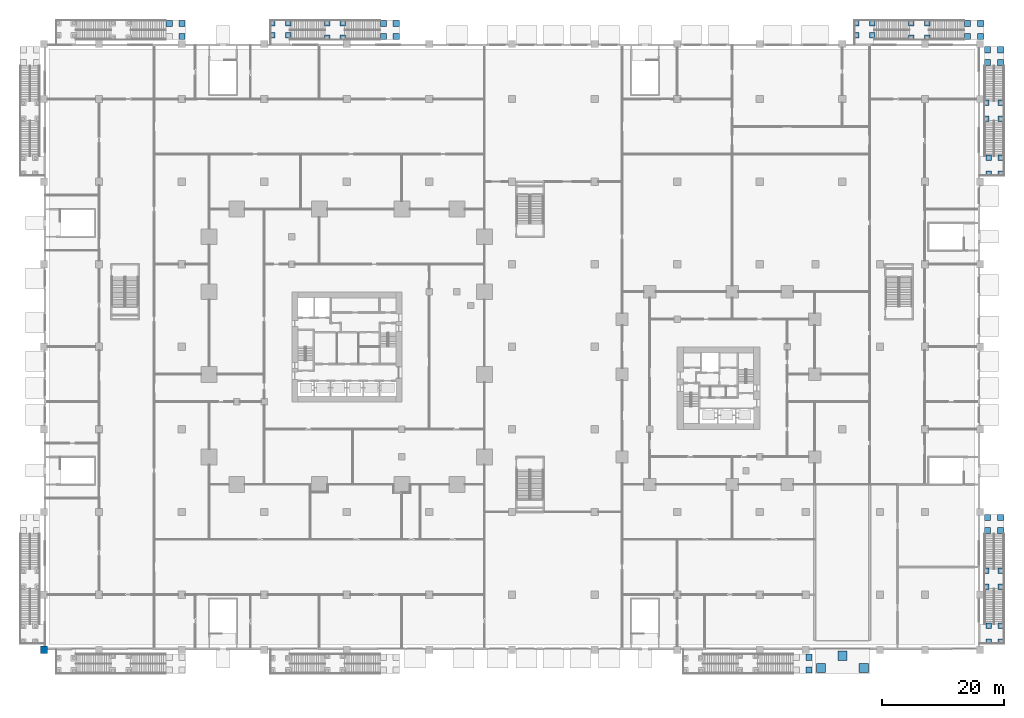
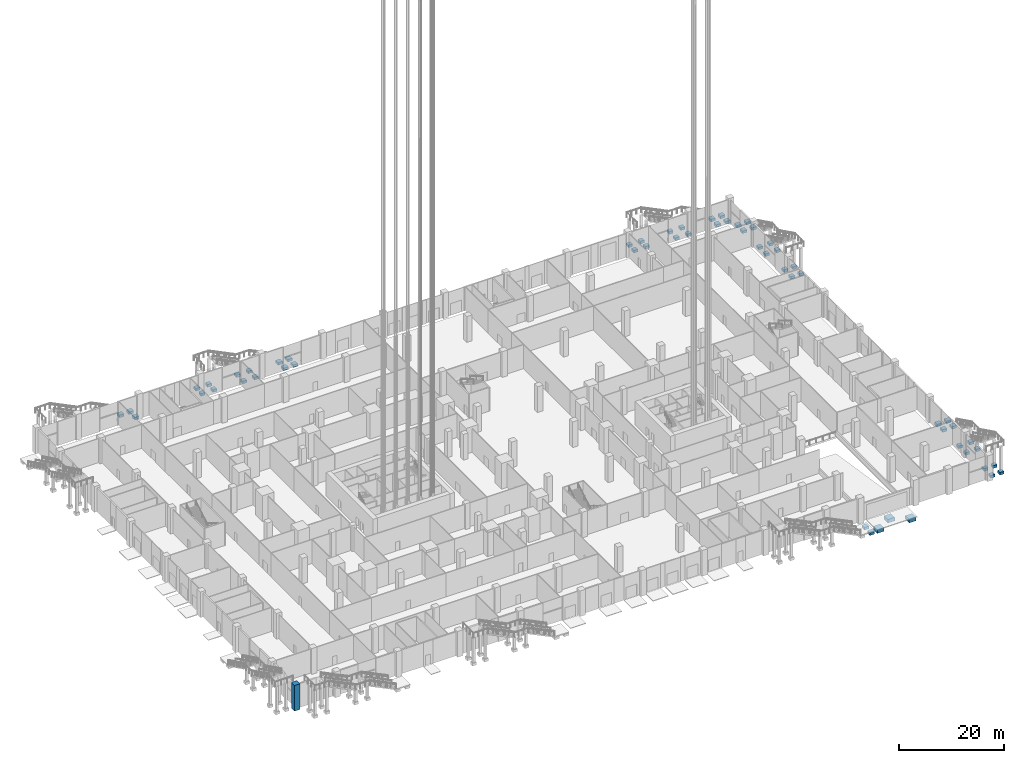
# One storey, part 2 of 68: 56 footings, 1 column.
"""IFC4 building model written with IfcOpenShell, lengths in metres."""

from ifc_helpers import new_model, si_unit, direction, frame, origin, origin_2d, place, context, subcontext, project, spatial, polyline, rectangle, outline, extrude, material, layer, layer_set, material_profile, profile_set, type_object, element, save


model = new_model("IFC4")

# Units and contexts
model_context = context("Model", 3, precision=1e-05, world=origin(), true_north=direction((0.0, 1.0)))
body_context = subcontext(model_context, "Body", "Model", "MODEL_VIEW")
ifc_project = project(units=[si_unit("LENGTHUNIT", "METRE"), si_unit("AREAUNIT", "SQUARE_METRE"), si_unit("VOLUMEUNIT", "CUBIC_METRE"), si_unit("PLANEANGLEUNIT", "RADIAN"), si_unit("MASSUNIT", "GRAM", prefix="KILO")], contexts=[model_context])

# Site, building, storey
site_placement = place(None, origin())
site = spatial("IfcSite", under=ifc_project, at=site_placement, CompositionType="ELEMENT")
building_placement = place(site_placement, origin())
building = spatial("IfcBuilding", under=site, at=building_placement, Name="Altepetl Exchange Towers", CompositionType="ELEMENT")
storey_placement = place(building_placement, origin())
storey = spatial("IfcBuildingStorey", under=building, at=storey_placement, Name="L00 Ground concourse", CompositionType="ELEMENT", Elevation=0.0)

# Footings
ifc_material_1 = material(Name="Concrete C25/30", Category="concrete")
ifc_layer_1 = layer(ifc_material_1, 0.800048828125)
ifc_layer_set_1 = layer_set([ifc_layer_1], Name="Concrete C25/30")
footing_type_1 = type_object("IfcFootingType", Name="Apron pad footing 1500x800", PredefinedType="PAD_FOOTING", material=ifc_layer_set_1)
footing_1_placement = place(storey_placement, frame((0.0, 0.0, -1.0)))
element("IfcFooting", 1, at=footing_1_placement, inside=storey, type_object=footing_type_1, Name="Apron pad footing", PredefinedType="PAD_FOOTING", context=body_context, shape_type="SweptSolid", body=[
    extrude(outline(polyline([(126.25, -3.75), (127.75, -3.75), (127.75, -2.25), (126.25, -2.25), (126.25, -3.75)])), origin(), (0.0, 0.0, 1.0), 0.800048828125),
])
footing_2_placement = place(storey_placement, frame((0.0, 0.0, -1.0)))
element("IfcFooting", 2, at=footing_2_placement, inside=storey, type_object=footing_type_1, Name="Apron pad footing", PredefinedType="PAD_FOOTING", context=body_context, shape_type="SweptSolid", body=[
    extrude(outline(polyline([(133.25, -3.75), (134.75, -3.75), (134.75, -2.25), (133.25, -2.25), (133.25, -3.75)])), origin(), (0.0, 0.0, 1.0), 0.800048828125),
])
footing_3_placement = place(storey_placement, frame((0.0, 0.0, -1.0)))
element("IfcFooting", 3, at=footing_3_placement, inside=storey, type_object=footing_type_1, Name="Apron pad footing", PredefinedType="PAD_FOOTING", context=body_context, shape_type="SweptSolid", body=[
    extrude(outline(polyline([(129.75, -1.75), (131.25, -1.75), (131.25, -0.25), (129.75, -0.25), (129.75, -1.75)])), origin(), (0.0, 0.0, 1.0), 0.800048828125),
])
ifc_material_2 = material(Name="Reinforced concrete C35/45", Category="concrete")
ifc_layer_2 = layer(ifc_material_2, 0.60009765625)
ifc_layer_set_2 = layer_set([ifc_layer_2], Name="Reinforced concrete C35/45")
footing_type_2 = type_object("IfcFootingType", Name="Garden steps footing 900", PredefinedType="PAD_FOOTING", material=ifc_layer_set_2)
footing_4_placement = place(storey_placement, frame((0.0, 0.0, -0.85009765625)))
element("IfcFooting", 4, at=footing_4_placement, inside=storey, type_object=footing_type_2, Name="ftg:P:L00:G3foot1", PredefinedType="PAD_FOOTING", context=body_context, shape_type="SweptSolid", body=[
    extrude(outline(polyline([(22.070068359375, 99.75), (23.070068359375, 99.75), (23.070068359375, 100.75), (22.070068359375, 100.75), (22.070068359375, 99.75)])), origin(), (0.0, 0.0, 1.0), 0.60009765625),
])
footing_5_placement = place(storey_placement, frame((0.0, 0.0, -0.85009765625)))
element("IfcFooting", 5, at=footing_5_placement, inside=storey, type_object=footing_type_2, Name="ftg:P:L00:G3foot2", PredefinedType="PAD_FOOTING", context=body_context, shape_type="SweptSolid", body=[
    extrude(outline(polyline([(22.070068359375, 101.85009765625), (23.070068359375, 101.85009765625), (23.070068359375, 102.85009765625), (22.070068359375, 102.85009765625), (22.070068359375, 101.85009765625)])), origin(), (0.0, 0.0, 1.0), 0.60009765625),
])
footing_6_placement = place(storey_placement, frame((0.0, 0.0, -0.85009765625)))
element("IfcFooting", 6, at=footing_6_placement, inside=storey, type_object=footing_type_2, Name="ftg:P:L00:G3foot3", PredefinedType="PAD_FOOTING", context=body_context, shape_type="SweptSolid", body=[
    extrude(outline(polyline([(19.969970703125, 101.85009765625), (20.969970703125, 101.85009765625), (20.969970703125, 102.85009765625), (19.969970703125, 102.85009765625), (19.969970703125, 101.85009765625)])), origin(), (0.0, 0.0, 1.0), 0.60009765625),
])
footing_7_placement = place(storey_placement, frame((0.0, 0.0, -0.60009765625)))
element("IfcFooting", 7, at=footing_7_placement, inside=storey, type_object=footing_type_2, Name="ftg:P:L00:G4pier0", PredefinedType="PAD_FOOTING", context=body_context, shape_type="SweptSolid", body=[
    extrude(outline(polyline([(36.85009765625, 99.949951171875), (37.75, 99.949951171875), (37.75, 100.85009765625), (36.85009765625, 100.85009765625), (36.85009765625, 99.949951171875)])), origin(), (0.0, 0.0, 1.0), 0.60009765625),
])
footing_8_placement = place(storey_placement, frame((0.0, 0.0, -0.60009765625)))
element("IfcFooting", 8, at=footing_8_placement, inside=storey, type_object=footing_type_2, Name="ftg:P:L00:G4pier1", PredefinedType="PAD_FOOTING", context=body_context, shape_type="SweptSolid", body=[
    extrude(outline(polyline([(36.85009765625, 101.949951171875), (37.75, 101.949951171875), (37.75, 102.85009765625), (36.85009765625, 102.85009765625), (36.85009765625, 101.949951171875)])), origin(), (0.0, 0.0, 1.0), 0.60009765625),
])
footing_9_placement = place(storey_placement, frame((0.0, 0.0, -0.60009765625)))
element("IfcFooting", 9, at=footing_9_placement, inside=storey, type_object=footing_type_2, Name="ftg:P:L00:G4pier2", PredefinedType="PAD_FOOTING", context=body_context, shape_type="SweptSolid", body=[
    extrude(outline(polyline([(39.449951171875, 99.949951171875), (40.35009765625, 99.949951171875), (40.35009765625, 100.85009765625), (39.449951171875, 100.85009765625), (39.449951171875, 99.949951171875)])), origin(), (0.0, 0.0, 1.0), 0.60009765625),
])
footing_10_placement = place(storey_placement, frame((0.0, 0.0, -0.60009765625)))
element("IfcFooting", 10, at=footing_10_placement, inside=storey, type_object=footing_type_2, Name="ftg:P:L00:G4pier3", PredefinedType="PAD_FOOTING", context=body_context, shape_type="SweptSolid", body=[
    extrude(outline(polyline([(39.449951171875, 101.949951171875), (40.35009765625, 101.949951171875), (40.35009765625, 102.85009765625), (39.449951171875, 102.85009765625), (39.449951171875, 101.949951171875)])), origin(), (0.0, 0.0, 1.0), 0.60009765625),
])
footing_11_placement = place(storey_placement, frame((0.0, 0.0, -0.60009765625)))
element("IfcFooting", 11, at=footing_11_placement, inside=storey, type_object=footing_type_2, Name="ftg:P:L00:G4pier4", PredefinedType="PAD_FOOTING", context=body_context, shape_type="SweptSolid", body=[
    extrude(outline(polyline([(45.81005859375, 99.550048828125), (46.7099609375, 99.550048828125), (46.7099609375, 100.449951171875), (45.81005859375, 100.449951171875), (45.81005859375, 99.550048828125)])), origin(), (0.0, 0.0, 1.0), 0.60009765625),
])
footing_12_placement = place(storey_placement, frame((0.0, 0.0, -0.60009765625)))
element("IfcFooting", 12, at=footing_12_placement, inside=storey, type_object=footing_type_2, Name="ftg:P:L00:G4pier5", PredefinedType="PAD_FOOTING", context=body_context, shape_type="SweptSolid", body=[
    extrude(outline(polyline([(45.81005859375, 101.949951171875), (46.7099609375, 101.949951171875), (46.7099609375, 102.85009765625), (45.81005859375, 102.85009765625), (45.81005859375, 101.949951171875)])), origin(), (0.0, 0.0, 1.0), 0.60009765625),
])
footing_13_placement = place(storey_placement, frame((0.0, 0.0, -0.60009765625)))
element("IfcFooting", 13, at=footing_13_placement, inside=storey, type_object=footing_type_2, Name="ftg:P:L00:G4pier6", PredefinedType="PAD_FOOTING", context=body_context, shape_type="SweptSolid", body=[
    extrude(outline(polyline([(48.409912109375, 99.550048828125), (49.31005859375, 99.550048828125), (49.31005859375, 100.449951171875), (48.409912109375, 100.449951171875), (48.409912109375, 99.550048828125)])), origin(), (0.0, 0.0, 1.0), 0.60009765625),
])
footing_14_placement = place(storey_placement, frame((0.0, 0.0, -0.60009765625)))
element("IfcFooting", 14, at=footing_14_placement, inside=storey, type_object=footing_type_2, Name="ftg:P:L00:G4pier7", PredefinedType="PAD_FOOTING", context=body_context, shape_type="SweptSolid", body=[
    extrude(outline(polyline([(48.409912109375, 101.949951171875), (49.31005859375, 101.949951171875), (49.31005859375, 102.85009765625), (48.409912109375, 102.85009765625), (48.409912109375, 101.949951171875)])), origin(), (0.0, 0.0, 1.0), 0.60009765625),
])
footing_15_placement = place(storey_placement, frame((0.0, 0.0, -0.85009765625)))
element("IfcFooting", 15, at=footing_15_placement, inside=storey, type_object=footing_type_2, Name="ftg:P:L00:G4foot0", PredefinedType="PAD_FOOTING", context=body_context, shape_type="SweptSolid", body=[
    extrude(outline(polyline([(54.969970703125, 99.75), (55.969970703125, 99.75), (55.969970703125, 100.75), (54.969970703125, 100.75), (54.969970703125, 99.75)])), origin(), (0.0, 0.0, 1.0), 0.60009765625),
])
footing_16_placement = place(storey_placement, frame((0.0, 0.0, -0.85009765625)))
element("IfcFooting", 16, at=footing_16_placement, inside=storey, type_object=footing_type_2, Name="ftg:P:L00:G4foot1", PredefinedType="PAD_FOOTING", context=body_context, shape_type="SweptSolid", body=[
    extrude(outline(polyline([(57.070068359375, 99.75), (58.070068359375, 99.75), (58.070068359375, 100.75), (57.070068359375, 100.75), (57.070068359375, 99.75)])), origin(), (0.0, 0.0, 1.0), 0.60009765625),
])
footing_17_placement = place(storey_placement, frame((0.0, 0.0, -0.85009765625)))
element("IfcFooting", 17, at=footing_17_placement, inside=storey, type_object=footing_type_2, Name="ftg:P:L00:G4foot2", PredefinedType="PAD_FOOTING", context=body_context, shape_type="SweptSolid", body=[
    extrude(outline(polyline([(57.070068359375, 101.85009765625), (58.070068359375, 101.85009765625), (58.070068359375, 102.85009765625), (57.070068359375, 102.85009765625), (57.070068359375, 101.85009765625)])), origin(), (0.0, 0.0, 1.0), 0.60009765625),
])
footing_18_placement = place(storey_placement, frame((0.0, 0.0, -0.85009765625)))
element("IfcFooting", 18, at=footing_18_placement, inside=storey, type_object=footing_type_2, Name="ftg:P:L00:G4foot3", PredefinedType="PAD_FOOTING", context=body_context, shape_type="SweptSolid", body=[
    extrude(outline(polyline([(54.969970703125, 101.85009765625), (55.969970703125, 101.85009765625), (55.969970703125, 102.85009765625), (54.969970703125, 102.85009765625), (54.969970703125, 101.85009765625)])), origin(), (0.0, 0.0, 1.0), 0.60009765625),
])
footing_19_placement = place(storey_placement, frame((0.0, 0.0, -0.60009765625)))
element("IfcFooting", 19, at=footing_19_placement, inside=storey, type_object=footing_type_2, Name="ftg:P:L00:G6pier0", PredefinedType="PAD_FOOTING", context=body_context, shape_type="SweptSolid", body=[
    extrude(outline(polyline([(153.949951171875, 77.35009765625), (154.85009765625, 77.35009765625), (154.85009765625, 78.25), (153.949951171875, 78.25), (153.949951171875, 77.35009765625)])), origin(), (0.0, 0.0, 1.0), 0.60009765625),
])
footing_20_placement = place(storey_placement, frame((0.0, 0.0, -0.60009765625)))
element("IfcFooting", 20, at=footing_20_placement, inside=storey, type_object=footing_type_2, Name="ftg:P:L00:G6pier1", PredefinedType="PAD_FOOTING", context=body_context, shape_type="SweptSolid", body=[
    extrude(outline(polyline([(155.949951171875, 77.35009765625), (156.85009765625, 77.35009765625), (156.85009765625, 78.25), (155.949951171875, 78.25), (155.949951171875, 77.35009765625)])), origin(), (0.0, 0.0, 1.0), 0.60009765625),
])
footing_21_placement = place(storey_placement, frame((0.0, 0.0, -0.60009765625)))
element("IfcFooting", 21, at=footing_21_placement, inside=storey, type_object=footing_type_2, Name="ftg:P:L00:G6pier2", PredefinedType="PAD_FOOTING", context=body_context, shape_type="SweptSolid", body=[
    extrude(outline(polyline([(153.949951171875, 79.949951171875), (154.85009765625, 79.949951171875), (154.85009765625, 80.85009765625), (153.949951171875, 80.85009765625), (153.949951171875, 79.949951171875)])), origin(), (0.0, 0.0, 1.0), 0.60009765625),
])
footing_22_placement = place(storey_placement, frame((0.0, 0.0, -0.60009765625)))
element("IfcFooting", 22, at=footing_22_placement, inside=storey, type_object=footing_type_2, Name="ftg:P:L00:G6pier3", PredefinedType="PAD_FOOTING", context=body_context, shape_type="SweptSolid", body=[
    extrude(outline(polyline([(155.949951171875, 79.949951171875), (156.85009765625, 79.949951171875), (156.85009765625, 80.85009765625), (155.949951171875, 80.85009765625), (155.949951171875, 79.949951171875)])), origin(), (0.0, 0.0, 1.0), 0.60009765625),
])
footing_23_placement = place(storey_placement, frame((0.0, 0.0, -0.60009765625)))
element("IfcFooting", 23, at=footing_23_placement, inside=storey, type_object=footing_type_2, Name="ftg:P:L00:G6pier4", PredefinedType="PAD_FOOTING", context=body_context, shape_type="SweptSolid", body=[
    extrude(outline(polyline([(153.550048828125, 86.31005859375), (154.449951171875, 86.31005859375), (154.449951171875, 87.2099609375), (153.550048828125, 87.2099609375), (153.550048828125, 86.31005859375)])), origin(), (0.0, 0.0, 1.0), 0.60009765625),
])
footing_24_placement = place(storey_placement, frame((0.0, 0.0, -0.60009765625)))
element("IfcFooting", 24, at=footing_24_placement, inside=storey, type_object=footing_type_2, Name="ftg:P:L00:G6pier5", PredefinedType="PAD_FOOTING", context=body_context, shape_type="SweptSolid", body=[
    extrude(outline(polyline([(155.949951171875, 86.31005859375), (156.85009765625, 86.31005859375), (156.85009765625, 87.2099609375), (155.949951171875, 87.2099609375), (155.949951171875, 86.31005859375)])), origin(), (0.0, 0.0, 1.0), 0.60009765625),
])
footing_25_placement = place(storey_placement, frame((0.0, 0.0, -0.60009765625)))
element("IfcFooting", 25, at=footing_25_placement, inside=storey, type_object=footing_type_2, Name="ftg:P:L00:G6pier6", PredefinedType="PAD_FOOTING", context=body_context, shape_type="SweptSolid", body=[
    extrude(outline(polyline([(153.550048828125, 88.909912109375), (154.449951171875, 88.909912109375), (154.449951171875, 89.81005859375), (153.550048828125, 89.81005859375), (153.550048828125, 88.909912109375)])), origin(), (0.0, 0.0, 1.0), 0.60009765625),
])
footing_26_placement = place(storey_placement, frame((0.0, 0.0, -0.60009765625)))
element("IfcFooting", 26, at=footing_26_placement, inside=storey, type_object=footing_type_2, Name="ftg:P:L00:G6pier7", PredefinedType="PAD_FOOTING", context=body_context, shape_type="SweptSolid", body=[
    extrude(outline(polyline([(155.949951171875, 88.909912109375), (156.85009765625, 88.909912109375), (156.85009765625, 89.81005859375), (155.949951171875, 89.81005859375), (155.949951171875, 88.909912109375)])), origin(), (0.0, 0.0, 1.0), 0.60009765625),
])
footing_27_placement = place(storey_placement, frame((0.0, 0.0, -0.85009765625)))
element("IfcFooting", 27, at=footing_27_placement, inside=storey, type_object=footing_type_2, Name="ftg:P:L00:G6foot0", PredefinedType="PAD_FOOTING", context=body_context, shape_type="SweptSolid", body=[
    extrude(outline(polyline([(153.75, 95.469970703125), (154.75, 95.469970703125), (154.75, 96.469970703125), (153.75, 96.469970703125), (153.75, 95.469970703125)])), origin(), (0.0, 0.0, 1.0), 0.60009765625),
])
footing_28_placement = place(storey_placement, frame((0.0, 0.0, -0.85009765625)))
element("IfcFooting", 28, at=footing_28_placement, inside=storey, type_object=footing_type_2, Name="ftg:P:L00:G6foot1", PredefinedType="PAD_FOOTING", context=body_context, shape_type="SweptSolid", body=[
    extrude(outline(polyline([(153.75, 97.570068359375), (154.75, 97.570068359375), (154.75, 98.570068359375), (153.75, 98.570068359375), (153.75, 97.570068359375)])), origin(), (0.0, 0.0, 1.0), 0.60009765625),
])
footing_29_placement = place(storey_placement, frame((0.0, 0.0, -0.85009765625)))
element("IfcFooting", 29, at=footing_29_placement, inside=storey, type_object=footing_type_2, Name="ftg:P:L00:G6foot2", PredefinedType="PAD_FOOTING", context=body_context, shape_type="SweptSolid", body=[
    extrude(outline(polyline([(155.85009765625, 97.570068359375), (156.85009765625, 97.570068359375), (156.85009765625, 98.570068359375), (155.85009765625, 98.570068359375), (155.85009765625, 97.570068359375)])), origin(), (0.0, 0.0, 1.0), 0.60009765625),
])
footing_30_placement = place(storey_placement, frame((0.0, 0.0, -0.85009765625)))
element("IfcFooting", 30, at=footing_30_placement, inside=storey, type_object=footing_type_2, Name="ftg:P:L00:G6foot3", PredefinedType="PAD_FOOTING", context=body_context, shape_type="SweptSolid", body=[
    extrude(outline(polyline([(155.85009765625, 95.469970703125), (156.85009765625, 95.469970703125), (156.85009765625, 96.469970703125), (155.85009765625, 96.469970703125), (155.85009765625, 95.469970703125)])), origin(), (0.0, 0.0, 1.0), 0.60009765625),
])
footing_31_placement = place(storey_placement, frame((0.0, 0.0, -0.85009765625)))
element("IfcFooting", 31, at=footing_31_placement, inside=storey, type_object=footing_type_2, Name="ftg:P:L00:G7foot1", PredefinedType="PAD_FOOTING", context=body_context, shape_type="SweptSolid", body=[
    extrude(outline(polyline([(124.570068359375, -1.75), (125.570068359375, -1.75), (125.570068359375, -0.75), (124.570068359375, -0.75), (124.570068359375, -1.75)])), origin(), (0.0, 0.0, 1.0), 0.60009765625),
])
footing_32_placement = place(storey_placement, frame((0.0, 0.0, -0.85009765625)))
element("IfcFooting", 32, at=footing_32_placement, inside=storey, type_object=footing_type_2, Name="ftg:P:L00:G7foot2", PredefinedType="PAD_FOOTING", context=body_context, shape_type="SweptSolid", body=[
    extrude(outline(polyline([(124.570068359375, -3.85009765625), (125.570068359375, -3.85009765625), (125.570068359375, -2.85009765625), (124.570068359375, -2.85009765625), (124.570068359375, -3.85009765625)])), origin(), (0.0, 0.0, 1.0), 0.60009765625),
])
footing_33_placement = place(storey_placement, frame((0.0, 0.0, -0.60009765625)))
element("IfcFooting", 33, at=footing_33_placement, inside=storey, type_object=footing_type_2, Name="ftg:P:L00:G8pier0", PredefinedType="PAD_FOOTING", context=body_context, shape_type="SweptSolid", body=[
    extrude(outline(polyline([(132.35009765625, 99.949951171875), (133.25, 99.949951171875), (133.25, 100.85009765625), (132.35009765625, 100.85009765625), (132.35009765625, 99.949951171875)])), origin(), (0.0, 0.0, 1.0), 0.60009765625),
])
footing_34_placement = place(storey_placement, frame((0.0, 0.0, -0.60009765625)))
element("IfcFooting", 34, at=footing_34_placement, inside=storey, type_object=footing_type_2, Name="ftg:P:L00:G8pier1", PredefinedType="PAD_FOOTING", context=body_context, shape_type="SweptSolid", body=[
    extrude(outline(polyline([(132.35009765625, 101.949951171875), (133.25, 101.949951171875), (133.25, 102.85009765625), (132.35009765625, 102.85009765625), (132.35009765625, 101.949951171875)])), origin(), (0.0, 0.0, 1.0), 0.60009765625),
])
footing_35_placement = place(storey_placement, frame((0.0, 0.0, -0.60009765625)))
element("IfcFooting", 35, at=footing_35_placement, inside=storey, type_object=footing_type_2, Name="ftg:P:L00:G8pier2", PredefinedType="PAD_FOOTING", context=body_context, shape_type="SweptSolid", body=[
    extrude(outline(polyline([(134.949951171875, 99.949951171875), (135.85009765625, 99.949951171875), (135.85009765625, 100.85009765625), (134.949951171875, 100.85009765625), (134.949951171875, 99.949951171875)])), origin(), (0.0, 0.0, 1.0), 0.60009765625),
])
footing_36_placement = place(storey_placement, frame((0.0, 0.0, -0.60009765625)))
element("IfcFooting", 36, at=footing_36_placement, inside=storey, type_object=footing_type_2, Name="ftg:P:L00:G8pier3", PredefinedType="PAD_FOOTING", context=body_context, shape_type="SweptSolid", body=[
    extrude(outline(polyline([(134.949951171875, 101.949951171875), (135.85009765625, 101.949951171875), (135.85009765625, 102.85009765625), (134.949951171875, 102.85009765625), (134.949951171875, 101.949951171875)])), origin(), (0.0, 0.0, 1.0), 0.60009765625),
])
footing_37_placement = place(storey_placement, frame((0.0, 0.0, -0.60009765625)))
element("IfcFooting", 37, at=footing_37_placement, inside=storey, type_object=footing_type_2, Name="ftg:P:L00:G8pier4", PredefinedType="PAD_FOOTING", context=body_context, shape_type="SweptSolid", body=[
    extrude(outline(polyline([(141.31005859375, 99.550048828125), (142.2099609375, 99.550048828125), (142.2099609375, 100.449951171875), (141.31005859375, 100.449951171875), (141.31005859375, 99.550048828125)])), origin(), (0.0, 0.0, 1.0), 0.60009765625),
])
footing_38_placement = place(storey_placement, frame((0.0, 0.0, -0.60009765625)))
element("IfcFooting", 38, at=footing_38_placement, inside=storey, type_object=footing_type_2, Name="ftg:P:L00:G8pier5", PredefinedType="PAD_FOOTING", context=body_context, shape_type="SweptSolid", body=[
    extrude(outline(polyline([(141.31005859375, 101.949951171875), (142.2099609375, 101.949951171875), (142.2099609375, 102.85009765625), (141.31005859375, 102.85009765625), (141.31005859375, 101.949951171875)])), origin(), (0.0, 0.0, 1.0), 0.60009765625),
])
footing_39_placement = place(storey_placement, frame((0.0, 0.0, -0.60009765625)))
element("IfcFooting", 39, at=footing_39_placement, inside=storey, type_object=footing_type_2, Name="ftg:P:L00:G8pier6", PredefinedType="PAD_FOOTING", context=body_context, shape_type="SweptSolid", body=[
    extrude(outline(polyline([(143.909912109375, 99.550048828125), (144.81005859375, 99.550048828125), (144.81005859375, 100.449951171875), (143.909912109375, 100.449951171875), (143.909912109375, 99.550048828125)])), origin(), (0.0, 0.0, 1.0), 0.60009765625),
])
footing_40_placement = place(storey_placement, frame((0.0, 0.0, -0.60009765625)))
element("IfcFooting", 40, at=footing_40_placement, inside=storey, type_object=footing_type_2, Name="ftg:P:L00:G8pier7", PredefinedType="PAD_FOOTING", context=body_context, shape_type="SweptSolid", body=[
    extrude(outline(polyline([(143.909912109375, 101.949951171875), (144.81005859375, 101.949951171875), (144.81005859375, 102.85009765625), (143.909912109375, 102.85009765625), (143.909912109375, 101.949951171875)])), origin(), (0.0, 0.0, 1.0), 0.60009765625),
])
footing_41_placement = place(storey_placement, frame((0.0, 0.0, -0.85009765625)))
element("IfcFooting", 41, at=footing_41_placement, inside=storey, type_object=footing_type_2, Name="ftg:P:L00:G8foot0", PredefinedType="PAD_FOOTING", context=body_context, shape_type="SweptSolid", body=[
    extrude(outline(polyline([(150.469970703125, 99.75), (151.469970703125, 99.75), (151.469970703125, 100.75), (150.469970703125, 100.75), (150.469970703125, 99.75)])), origin(), (0.0, 0.0, 1.0), 0.60009765625),
])
footing_42_placement = place(storey_placement, frame((0.0, 0.0, -0.85009765625)))
element("IfcFooting", 42, at=footing_42_placement, inside=storey, type_object=footing_type_2, Name="ftg:P:L00:G8foot1", PredefinedType="PAD_FOOTING", context=body_context, shape_type="SweptSolid", body=[
    extrude(outline(polyline([(152.570068359375, 99.75), (153.570068359375, 99.75), (153.570068359375, 100.75), (152.570068359375, 100.75), (152.570068359375, 99.75)])), origin(), (0.0, 0.0, 1.0), 0.60009765625),
])
footing_43_placement = place(storey_placement, frame((0.0, 0.0, -0.85009765625)))
element("IfcFooting", 43, at=footing_43_placement, inside=storey, type_object=footing_type_2, Name="ftg:P:L00:G8foot2", PredefinedType="PAD_FOOTING", context=body_context, shape_type="SweptSolid", body=[
    extrude(outline(polyline([(152.570068359375, 101.85009765625), (153.570068359375, 101.85009765625), (153.570068359375, 102.85009765625), (152.570068359375, 102.85009765625), (152.570068359375, 101.85009765625)])), origin(), (0.0, 0.0, 1.0), 0.60009765625),
])
footing_44_placement = place(storey_placement, frame((0.0, 0.0, -0.85009765625)))
element("IfcFooting", 44, at=footing_44_placement, inside=storey, type_object=footing_type_2, Name="ftg:P:L00:G8foot3", PredefinedType="PAD_FOOTING", context=body_context, shape_type="SweptSolid", body=[
    extrude(outline(polyline([(150.469970703125, 101.85009765625), (151.469970703125, 101.85009765625), (151.469970703125, 102.85009765625), (150.469970703125, 102.85009765625), (150.469970703125, 101.85009765625)])), origin(), (0.0, 0.0, 1.0), 0.60009765625),
])
footing_45_placement = place(storey_placement, frame((0.0, 0.0, -0.60009765625)))
element("IfcFooting", 45, at=footing_45_placement, inside=storey, type_object=footing_type_2, Name="ftg:P:L00:G10pier0", PredefinedType="PAD_FOOTING", context=body_context, shape_type="SweptSolid", body=[
    extrude(outline(polyline([(153.949951171875, 0.85009765625), (154.85009765625, 0.85009765625), (154.85009765625, 1.75), (153.949951171875, 1.75), (153.949951171875, 0.85009765625)])), origin(), (0.0, 0.0, 1.0), 0.60009765625),
])
footing_46_placement = place(storey_placement, frame((0.0, 0.0, -0.60009765625)))
element("IfcFooting", 46, at=footing_46_placement, inside=storey, type_object=footing_type_2, Name="ftg:P:L00:G10pier1", PredefinedType="PAD_FOOTING", context=body_context, shape_type="SweptSolid", body=[
    extrude(outline(polyline([(155.949951171875, 0.85009765625), (156.85009765625, 0.85009765625), (156.85009765625, 1.75), (155.949951171875, 1.75), (155.949951171875, 0.85009765625)])), origin(), (0.0, 0.0, 1.0), 0.60009765625),
])
footing_47_placement = place(storey_placement, frame((0.0, 0.0, -0.60009765625)))
element("IfcFooting", 47, at=footing_47_placement, inside=storey, type_object=footing_type_2, Name="ftg:P:L00:G10pier2", PredefinedType="PAD_FOOTING", context=body_context, shape_type="SweptSolid", body=[
    extrude(outline(polyline([(153.949951171875, 3.449951171875), (154.85009765625, 3.449951171875), (154.85009765625, 4.35009765625), (153.949951171875, 4.35009765625), (153.949951171875, 3.449951171875)])), origin(), (0.0, 0.0, 1.0), 0.60009765625),
])
footing_48_placement = place(storey_placement, frame((0.0, 0.0, -0.60009765625)))
element("IfcFooting", 48, at=footing_48_placement, inside=storey, type_object=footing_type_2, Name="ftg:P:L00:G10pier3", PredefinedType="PAD_FOOTING", context=body_context, shape_type="SweptSolid", body=[
    extrude(outline(polyline([(155.949951171875, 3.449951171875), (156.85009765625, 3.449951171875), (156.85009765625, 4.35009765625), (155.949951171875, 4.35009765625), (155.949951171875, 3.449951171875)])), origin(), (0.0, 0.0, 1.0), 0.60009765625),
])
footing_49_placement = place(storey_placement, frame((0.0, 0.0, -0.60009765625)))
element("IfcFooting", 49, at=footing_49_placement, inside=storey, type_object=footing_type_2, Name="ftg:P:L00:G10pier4", PredefinedType="PAD_FOOTING", context=body_context, shape_type="SweptSolid", body=[
    extrude(outline(polyline([(153.550048828125, 9.81005859375), (154.449951171875, 9.81005859375), (154.449951171875, 10.7099609375), (153.550048828125, 10.7099609375), (153.550048828125, 9.81005859375)])), origin(), (0.0, 0.0, 1.0), 0.60009765625),
])
footing_50_placement = place(storey_placement, frame((0.0, 0.0, -0.60009765625)))
element("IfcFooting", 50, at=footing_50_placement, inside=storey, type_object=footing_type_2, Name="ftg:P:L00:G10pier5", PredefinedType="PAD_FOOTING", context=body_context, shape_type="SweptSolid", body=[
    extrude(outline(polyline([(155.949951171875, 9.81005859375), (156.85009765625, 9.81005859375), (156.85009765625, 10.7099609375), (155.949951171875, 10.7099609375), (155.949951171875, 9.81005859375)])), origin(), (0.0, 0.0, 1.0), 0.60009765625),
])
footing_51_placement = place(storey_placement, frame((0.0, 0.0, -0.60009765625)))
element("IfcFooting", 51, at=footing_51_placement, inside=storey, type_object=footing_type_2, Name="ftg:P:L00:G10pier6", PredefinedType="PAD_FOOTING", context=body_context, shape_type="SweptSolid", body=[
    extrude(outline(polyline([(153.550048828125, 12.409912109375), (154.449951171875, 12.409912109375), (154.449951171875, 13.31005859375), (153.550048828125, 13.31005859375), (153.550048828125, 12.409912109375)])), origin(), (0.0, 0.0, 1.0), 0.60009765625),
])
footing_52_placement = place(storey_placement, frame((0.0, 0.0, -0.60009765625)))
element("IfcFooting", 52, at=footing_52_placement, inside=storey, type_object=footing_type_2, Name="ftg:P:L00:G10pier7", PredefinedType="PAD_FOOTING", context=body_context, shape_type="SweptSolid", body=[
    extrude(outline(polyline([(155.949951171875, 12.409912109375), (156.85009765625, 12.409912109375), (156.85009765625, 13.31005859375), (155.949951171875, 13.31005859375), (155.949951171875, 12.409912109375)])), origin(), (0.0, 0.0, 1.0), 0.60009765625),
])
footing_53_placement = place(storey_placement, frame((0.0, 0.0, -0.85009765625)))
element("IfcFooting", 53, at=footing_53_placement, inside=storey, type_object=footing_type_2, Name="ftg:P:L00:G10foot0", PredefinedType="PAD_FOOTING", context=body_context, shape_type="SweptSolid", body=[
    extrude(outline(polyline([(153.75, 18.969970703125), (154.75, 18.969970703125), (154.75, 19.969970703125), (153.75, 19.969970703125), (153.75, 18.969970703125)])), origin(), (0.0, 0.0, 1.0), 0.60009765625),
])
footing_54_placement = place(storey_placement, frame((0.0, 0.0, -0.85009765625)))
element("IfcFooting", 54, at=footing_54_placement, inside=storey, type_object=footing_type_2, Name="ftg:P:L00:G10foot1", PredefinedType="PAD_FOOTING", context=body_context, shape_type="SweptSolid", body=[
    extrude(outline(polyline([(153.75, 21.070068359375), (154.75, 21.070068359375), (154.75, 22.070068359375), (153.75, 22.070068359375), (153.75, 21.070068359375)])), origin(), (0.0, 0.0, 1.0), 0.60009765625),
])
footing_55_placement = place(storey_placement, frame((0.0, 0.0, -0.85009765625)))
element("IfcFooting", 55, at=footing_55_placement, inside=storey, type_object=footing_type_2, Name="ftg:P:L00:G10foot2", PredefinedType="PAD_FOOTING", context=body_context, shape_type="SweptSolid", body=[
    extrude(outline(polyline([(155.85009765625, 21.070068359375), (156.85009765625, 21.070068359375), (156.85009765625, 22.070068359375), (155.85009765625, 22.070068359375), (155.85009765625, 21.070068359375)])), origin(), (0.0, 0.0, 1.0), 0.60009765625),
])
footing_56_placement = place(storey_placement, frame((0.0, 0.0, -0.85009765625)))
element("IfcFooting", 56, at=footing_56_placement, inside=storey, type_object=footing_type_2, Name="ftg:P:L00:G10foot3", PredefinedType="PAD_FOOTING", context=body_context, shape_type="SweptSolid", body=[
    extrude(outline(polyline([(155.85009765625, 18.969970703125), (156.85009765625, 18.969970703125), (156.85009765625, 19.969970703125), (155.85009765625, 19.969970703125), (155.85009765625, 18.969970703125)])), origin(), (0.0, 0.0, 1.0), 0.60009765625),
])

# Column
ifc_material_3 = material(Name="Concrete C70/85", Category="concrete")
ifc_material_profile = material_profile(ifc_material_3, rectangle(XDim=1.199951171875, YDim=1.199951171875, at=origin_2d()), Name="1200 x 1200")
ifc_profile_set = profile_set([ifc_material_profile], Name="Concrete C70/85")
column_type = type_object("IfcColumnType", Name="Podium column 1200", PredefinedType="COLUMN", material=ifc_profile_set)
column_placement = place(storey_placement, origin())
element("IfcColumn", 57, at=column_placement, inside=storey, type_object=column_type, Name="col:P:L00:000", PredefinedType="COLUMN", context=body_context, shape_type="SweptSolid", body=[
    extrude(rectangle(XDim=1.199951171875, YDim=1.199951171875, at=origin_2d()), origin(), (0.0, 0.0, 1.0), 6.0),
])

save(model, "model.ifc")
